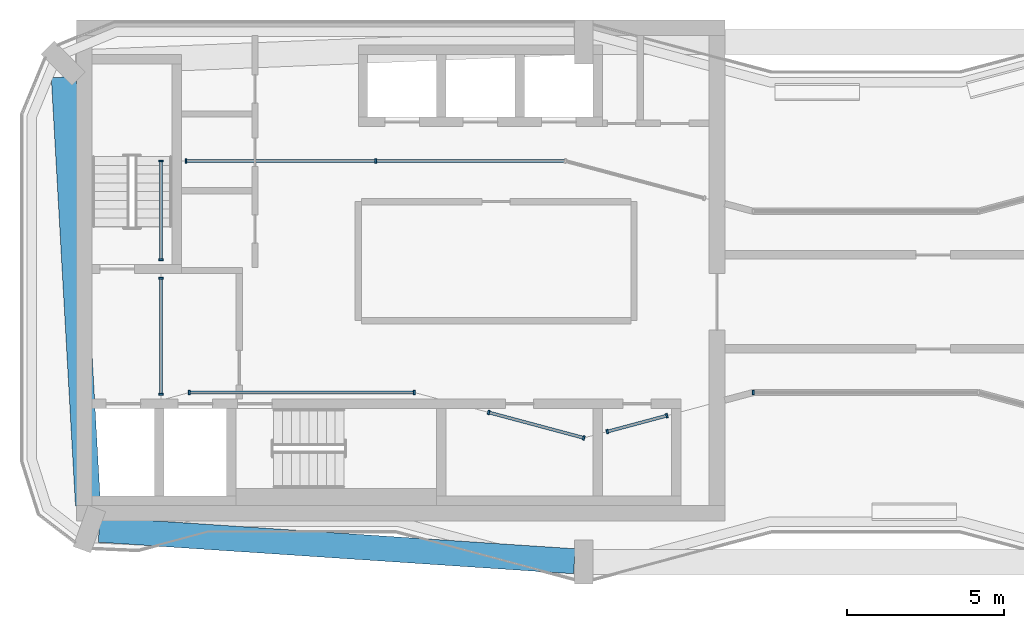
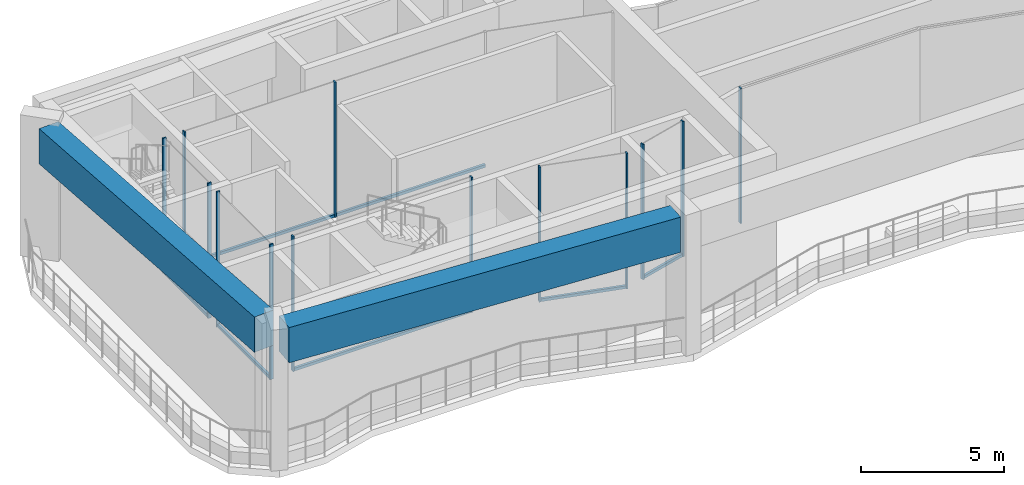
# One storey, part 2 of 12: 19 members, 2 beams, 7 elements without a shape of their own.
"""IFC4 building model written with IfcOpenShell, lengths in metres."""

from ifc_helpers import new_model, si_unit, direction, frame, origin, origin_2d, place, context, subcontext, project, spatial, rectangle, extrude, material, layer, layer_set, material_profile, profile_set, type_object, element, aggregate, save


model = new_model("IFC4")

# Units and contexts
model_context = context("Model", 3, precision=1e-05, world=origin(), true_north=direction((0.0, 1.0)))
body_context = subcontext(model_context, "Body", "Model", "MODEL_VIEW")
ifc_project = project(units=[si_unit("LENGTHUNIT", "METRE"), si_unit("AREAUNIT", "SQUARE_METRE"), si_unit("VOLUMEUNIT", "CUBIC_METRE"), si_unit("PLANEANGLEUNIT", "RADIAN"), si_unit("MASSUNIT", "GRAM", prefix="KILO")], contexts=[model_context])

# Site, building, storey
site_placement = place(None, origin())
site = spatial("IfcSite", under=ifc_project, at=site_placement, CompositionType="ELEMENT")
building_placement = place(site_placement, origin())
building = spatial("IfcBuilding", under=site, at=building_placement, Name="Plateau Cross Towers", CompositionType="ELEMENT")
storey_placement = place(building_placement, frame((0.0, 0.0, 236.39990234375)))
storey = spatial("IfcBuildingStorey", under=building, at=storey_placement, Name="L62", CompositionType="ELEMENT", Elevation=236.39990234375)

# Beams
ifc_material_1 = material(Name="Concrete C60/75", Category="concrete")
ifc_material_profile_1 = material_profile(ifc_material_1, rectangle(XDim=0.800048828125, YDim=1.5, at=origin_2d()), Name="RC 800x1500")
ifc_profile_set_1 = profile_set([ifc_material_profile_1], Name="Concrete C60/75")
beam_type = type_object("IfcBeamType", Name="Belt beam RC 800x1500", PredefinedType="BEAM", material=ifc_profile_set_1)
beam_1_placement = place(storey_placement, frame((1.39892578125, 16.1767578125, 5.0), z_axis=(0.056348976318, -0.998411134187, 0.0), x_axis=(0.998411134187, 0.056348976318, 0.0)))
element("IfcBeam", 1, at=beam_1_placement, inside=storey, type_object=beam_type, Name="BELT-L62-07", PredefinedType="BEAM", context=body_context, shape_type="SweptSolid", body=[
    extrude(rectangle(XDim=0.800048828125, YDim=1.5, at=origin_2d()), origin(), (0.0, 0.0, 1.0), 13.691162109375),
])
beam_2_placement = place(storey_placement, frame((2.52490234375, 1.727294921875, 5.0), z_axis=(0.99780408253, -0.06623452941, 0.0), x_axis=(0.06623452941, 0.99780408253, 0.0)))
element("IfcBeam", 2, at=beam_2_placement, inside=storey, type_object=beam_type, Name="BELT-L62-08", PredefinedType="BEAM", context=body_context, shape_type="SweptSolid", body=[
    extrude(rectangle(XDim=0.800048828125, YDim=1.5, at=origin_2d()), origin(), (0.0, 0.0, 1.0), 15.20849609375),
])

# Curtain wall, members
ifc_material_2 = material(Name="Dark low-iron glass", Category="glass")
ifc_layer = layer(ifc_material_2, 0.239990234375)
ifc_layer_set = layer_set([ifc_layer], Name="Dark low-iron glass")
curtain_wall_type = type_object("IfcCurtainWallType", Name="Curtain wall flush unitised CW-B", PredefinedType="NOTDEFINED", material=ifc_layer_set)
curtain_wall_1_placement = place(storey_placement, origin())
curtain_wall_1 = element("IfcCurtainWall", 3, at=curtain_wall_1_placement, inside=storey, type_object=curtain_wall_type, Name="ENV/A/L62/inner0_45_60", PredefinedType="NOTDEFINED")
ifc_material_3 = material(Name="Black anodised aluminium", Category="aluminium")
ifc_material_profile_2 = material_profile(ifc_material_3, rectangle(XDim=0.06005859375, YDim=0.139892578125, at=origin_2d()), Name="MULLION 60x140")
ifc_profile_set_2 = profile_set([ifc_material_profile_2], Name="Black anodised aluminium")
member_type_1 = type_object("IfcMemberType", Name="Mullion 60x140 flush unitised", PredefinedType="MULLION", material=ifc_profile_set_2)
member_1_placement = place(storey_placement, frame((4.5, 6.050048828125, 0.0), z_axis=(0.0, 0.0, 1.0), x_axis=(0.0, 1.0, 0.0)))
member_1 = element("IfcMember", 4, at=member_1_placement, type_object=member_type_1, Name="CW-B mullion 1", PredefinedType="MULLION", context=body_context, shape_type="SweptSolid", body=[
    extrude(rectangle(XDim=0.06005859375, YDim=0.139892578125, at=origin_2d()), origin(), (0.0, 0.0, 1.0), 5.75),
])
member_2_placement = place(storey_placement, frame((4.5, 9.75, 0.0), z_axis=(0.0, 0.0, 1.0), x_axis=(0.0, 1.0, 0.0)))
member_2 = element("IfcMember", 5, at=member_2_placement, type_object=member_type_1, Name="CW-B mullion 2", PredefinedType="MULLION", context=body_context, shape_type="SweptSolid", body=[
    extrude(rectangle(XDim=0.06005859375, YDim=0.139892578125, at=origin_2d()), origin(), (0.0, 0.0, 1.0), 5.75),
])

curtain_wall_2_placement = place(storey_placement, origin())
curtain_wall_2 = element("IfcCurtainWall", 6, at=curtain_wall_2_placement, inside=storey, type_object=curtain_wall_type, Name="ENV/A/L62/inner0_45_104", PredefinedType="NOTDEFINED")
member_3_placement = place(storey_placement, frame((4.5, 10.35009765625, 0.0), z_axis=(0.0, 0.0, 1.0), x_axis=(0.0, 1.0, 0.0)))
member_3 = element("IfcMember", 7, at=member_3_placement, type_object=member_type_1, Name="CW-B mullion 1", PredefinedType="MULLION", context=body_context, shape_type="SweptSolid", body=[
    extrude(rectangle(XDim=0.06005859375, YDim=0.139892578125, at=origin_2d()), origin(), (0.0, 0.0, 1.0), 5.75),
])
member_4_placement = place(storey_placement, frame((4.5, 13.5, 0.0), z_axis=(0.0, 0.0, 1.0), x_axis=(0.0, 1.0, 0.0)))
member_4 = element("IfcMember", 8, at=member_4_placement, type_object=member_type_1, Name="CW-B mullion 2", PredefinedType="MULLION", context=body_context, shape_type="SweptSolid", body=[
    extrude(rectangle(XDim=0.06005859375, YDim=0.139892578125, at=origin_2d()), origin(), (0.0, 0.0, 1.0), 5.75),
])

curtain_wall_3_placement = place(storey_placement, origin())
curtain_wall_3 = element("IfcCurtainWall", 9, at=curtain_wall_3_placement, inside=storey, type_object=curtain_wall_type, Name="ENV/A/L62/inner0_53_135", PredefinedType="NOTDEFINED")
member_5_placement = place(storey_placement, frame((5.300048828125, 13.5, 0.0), z_axis=(0.0, 0.0, 1.0), x_axis=(1.0, 0.0, 0.0)))
member_5 = element("IfcMember", 10, at=member_5_placement, type_object=member_type_1, Name="CW-B mullion 1", PredefinedType="MULLION", context=body_context, shape_type="SweptSolid", body=[
    extrude(rectangle(XDim=0.06005859375, YDim=0.139892578125, at=origin_2d()), origin(), (0.0, 0.0, 1.0), 5.75),
])
member_6_placement = place(storey_placement, frame((11.35400390625, 13.5, 0.0), z_axis=(0.0, 0.0, 1.0), x_axis=(1.0, 0.0, 0.0)))
member_6 = element("IfcMember", 11, at=member_6_placement, type_object=member_type_1, Name="CW-B mullion 2", PredefinedType="MULLION", context=body_context, shape_type="SweptSolid", body=[
    extrude(rectangle(XDim=0.06005859375, YDim=0.139892578125, at=origin_2d()), origin(), (0.0, 0.0, 1.0), 5.75),
])

# Curtain wall, member
curtain_wall_4_placement = place(storey_placement, origin())
curtain_wall_4 = element("IfcCurtainWall", 12, at=curtain_wall_4_placement, inside=storey, type_object=curtain_wall_type, Name="ENV/A/L62/inner0_306_61", PredefinedType="NOTDEFINED")
member_7_placement = place(storey_placement, frame((23.407958984375, 6.10693359375, 0.0), z_axis=(0.0, 0.0, 1.0), x_axis=(-1.0, 0.0, 0.0)))
member_7 = element("IfcMember", 13, at=member_7_placement, type_object=member_type_1, Name="CW-B mullion 2", PredefinedType="MULLION", context=body_context, shape_type="SweptSolid", body=[
    extrude(rectangle(XDim=0.06005859375, YDim=0.139892578125, at=origin_2d()), origin(), (0.0, 0.0, 1.0), 5.75),
])
aggregate(curtain_wall_4, [member_7])

# Curtain wall, members
curtain_wall_5_placement = place(storey_placement, origin())
curtain_wall_5 = element("IfcCurtainWall", 14, at=curtain_wall_5_placement, inside=storey, type_object=curtain_wall_type, Name="ENV/A/L62/inner0_207_54", PredefinedType="NOTDEFINED")
member_8_placement = place(storey_placement, frame((20.651123046875, 5.36865234375, 0.0), z_axis=(0.0, 0.0, 1.0), x_axis=(-0.965957983404, -0.258699003279, 0.0)))
member_8 = element("IfcMember", 15, at=member_8_placement, type_object=member_type_1, Name="CW-B mullion 1", PredefinedType="MULLION", context=body_context, shape_type="SweptSolid", body=[
    extrude(rectangle(XDim=0.06005859375, YDim=0.139892578125, at=origin_2d()), origin(), (0.0, 0.0, 1.0), 5.75),
])
member_9_placement = place(storey_placement, frame((18.7490234375, 4.859130859375, 0.0), z_axis=(0.0, 0.0, 1.0), x_axis=(-0.965957983404, -0.258699003279, 0.0)))
member_9 = element("IfcMember", 16, at=member_9_placement, type_object=member_type_1, Name="CW-B mullion 2", PredefinedType="MULLION", context=body_context, shape_type="SweptSolid", body=[
    extrude(rectangle(XDim=0.06005859375, YDim=0.139892578125, at=origin_2d()), origin(), (0.0, 0.0, 1.0), 5.75),
])

curtain_wall_6_placement = place(storey_placement, origin())
curtain_wall_6 = element("IfcCurtainWall", 17, at=curtain_wall_6_placement, inside=storey, type_object=curtain_wall_type, Name="ENV/A/L62/inner0_180_47", PredefinedType="NOTDEFINED")
member_10_placement = place(storey_placement, frame((18.0, 4.65869140625, 0.0), z_axis=(0.0, 0.0, 1.0), x_axis=(-0.965957983404, 0.258699003279, 0.0)))
member_10 = element("IfcMember", 18, at=member_10_placement, type_object=member_type_1, Name="CW-B mullion 1", PredefinedType="MULLION", context=body_context, shape_type="SweptSolid", body=[
    extrude(rectangle(XDim=0.06005859375, YDim=0.139892578125, at=origin_2d()), origin(), (0.0, 0.0, 1.0), 5.75),
])
member_11_placement = place(storey_placement, frame((14.9619140625, 5.47216796875, 0.0), z_axis=(0.0, 0.0, 1.0), x_axis=(-0.965957983404, 0.258699003279, 0.0)))
member_11 = element("IfcMember", 19, at=member_11_placement, type_object=member_type_1, Name="CW-B mullion 2", PredefinedType="MULLION", context=body_context, shape_type="SweptSolid", body=[
    extrude(rectangle(XDim=0.06005859375, YDim=0.139892578125, at=origin_2d()), origin(), (0.0, 0.0, 1.0), 5.75),
])

curtain_wall_7_placement = place(storey_placement, origin())
curtain_wall_7 = element("IfcCurtainWall", 20, at=curtain_wall_7_placement, inside=storey, type_object=curtain_wall_type, Name="ENV/A/L62/inner0_126_61", PredefinedType="NOTDEFINED")
member_12_placement = place(storey_placement, frame((12.592041015625, 6.10693359375, 0.0), z_axis=(0.0, 0.0, 1.0), x_axis=(-1.0, 0.0, 0.0)))
member_12 = element("IfcMember", 21, at=member_12_placement, type_object=member_type_1, Name="CW-B mullion 1", PredefinedType="MULLION", context=body_context, shape_type="SweptSolid", body=[
    extrude(rectangle(XDim=0.06005859375, YDim=0.139892578125, at=origin_2d()), origin(), (0.0, 0.0, 1.0), 5.75),
])
member_13_placement = place(storey_placement, frame((5.407958984375, 6.10693359375, 0.0), z_axis=(0.0, 0.0, 1.0), x_axis=(-1.0, 0.0, 0.0)))
member_13 = element("IfcMember", 22, at=member_13_placement, type_object=member_type_1, Name="CW-B mullion 2", PredefinedType="MULLION", context=body_context, shape_type="SweptSolid", body=[
    extrude(rectangle(XDim=0.06005859375, YDim=0.139892578125, at=origin_2d()), origin(), (0.0, 0.0, 1.0), 5.75),
])

# Member
ifc_material_profile_3 = material_profile(ifc_material_3, rectangle(XDim=0.10009765625, YDim=0.1201171875, at=origin_2d()), Name="TRANSOM 100x120")
ifc_profile_set_3 = profile_set([ifc_material_profile_3], Name="Black anodised aluminium")
member_type_2 = type_object("IfcMemberType", Name="Transom 100x120 flush unitised", PredefinedType="USERDEFINED", material=ifc_profile_set_3)
member_14_placement = place(storey_placement, frame((4.5, 6.050048828125, 0.06005859375), z_axis=(0.0, 1.0, 0.0), x_axis=(-1.0, 0.0, 0.0)))
member_14 = element("IfcMember", 23, at=member_14_placement, type_object=member_type_2, Name="CW-B transom", ObjectType="TRANSOM", PredefinedType="USERDEFINED", context=body_context, shape_type="SweptSolid", body=[
    extrude(rectangle(XDim=0.10009765625, YDim=0.1201171875, at=origin_2d()), origin(), (0.0, 0.0, 1.0), 3.699951171875),
])

aggregate(curtain_wall_1, [member_1, member_2, member_14])

member_15_placement = place(storey_placement, frame((4.5, 10.35009765625, 0.06005859375), z_axis=(0.0, 1.0, 0.0), x_axis=(-1.0, 0.0, 0.0)))
member_15 = element("IfcMember", 24, at=member_15_placement, type_object=member_type_2, Name="CW-B transom", ObjectType="TRANSOM", PredefinedType="USERDEFINED", context=body_context, shape_type="SweptSolid", body=[
    extrude(rectangle(XDim=0.10009765625, YDim=0.1201171875, at=origin_2d()), origin(), (0.0, 0.0, 1.0), 3.14990234375),
])

aggregate(curtain_wall_2, [member_3, member_4, member_15])

member_16_placement = place(storey_placement, frame((5.300048828125, 13.5, 0.06005859375), z_axis=(1.0, 0.0, 0.0), x_axis=(0.0, 1.0, 0.0)))
member_16 = element("IfcMember", 25, at=member_16_placement, type_object=member_type_2, Name="CW-B transom", ObjectType="TRANSOM", PredefinedType="USERDEFINED", context=body_context, shape_type="SweptSolid", body=[
    extrude(rectangle(XDim=0.10009765625, YDim=0.1201171875, at=origin_2d()), origin(), (0.0, 0.0, 1.0), 12.10791015625),
])

aggregate(curtain_wall_3, [member_5, member_6, member_16])

member_17_placement = place(storey_placement, frame((20.651123046875, 5.36865234375, 0.06005859375), z_axis=(-0.965944178109, -0.258750545464, 0.0), x_axis=(0.258750545464, -0.965944178109, 0.0)))
member_17 = element("IfcMember", 26, at=member_17_placement, type_object=member_type_2, Name="CW-B transom", ObjectType="TRANSOM", PredefinedType="USERDEFINED", context=body_context, shape_type="SweptSolid", body=[
    extrude(rectangle(XDim=0.10009765625, YDim=0.1201171875, at=origin_2d()), origin(), (0.0, 0.0, 1.0), 1.96923828125),
])

aggregate(curtain_wall_5, [member_8, member_9, member_17])

member_18_placement = place(storey_placement, frame((18.0, 4.65869140625, 0.06005859375), z_axis=(-0.965971605369, 0.258648134771, 0.0), x_axis=(-0.258648134771, -0.965971605369, 0.0)))
member_18 = element("IfcMember", 27, at=member_18_placement, type_object=member_type_2, Name="CW-B transom", ObjectType="TRANSOM", PredefinedType="USERDEFINED", context=body_context, shape_type="SweptSolid", body=[
    extrude(rectangle(XDim=0.10009765625, YDim=0.1201171875, at=origin_2d()), origin(), (0.0, 0.0, 1.0), 3.14501953125),
])

aggregate(curtain_wall_6, [member_10, member_11, member_18])

member_19_placement = place(storey_placement, frame((12.592041015625, 6.10693359375, 0.06005859375), z_axis=(-1.0, 0.0, 0.0), x_axis=(0.0, -1.0, 0.0)))
member_19 = element("IfcMember", 28, at=member_19_placement, type_object=member_type_2, Name="CW-B transom", ObjectType="TRANSOM", PredefinedType="USERDEFINED", context=body_context, shape_type="SweptSolid", body=[
    extrude(rectangle(XDim=0.10009765625, YDim=0.1201171875, at=origin_2d()), origin(), (0.0, 0.0, 1.0), 7.18408203125),
])

aggregate(curtain_wall_7, [member_12, member_13, member_19])

save(model, "model.ifc")
